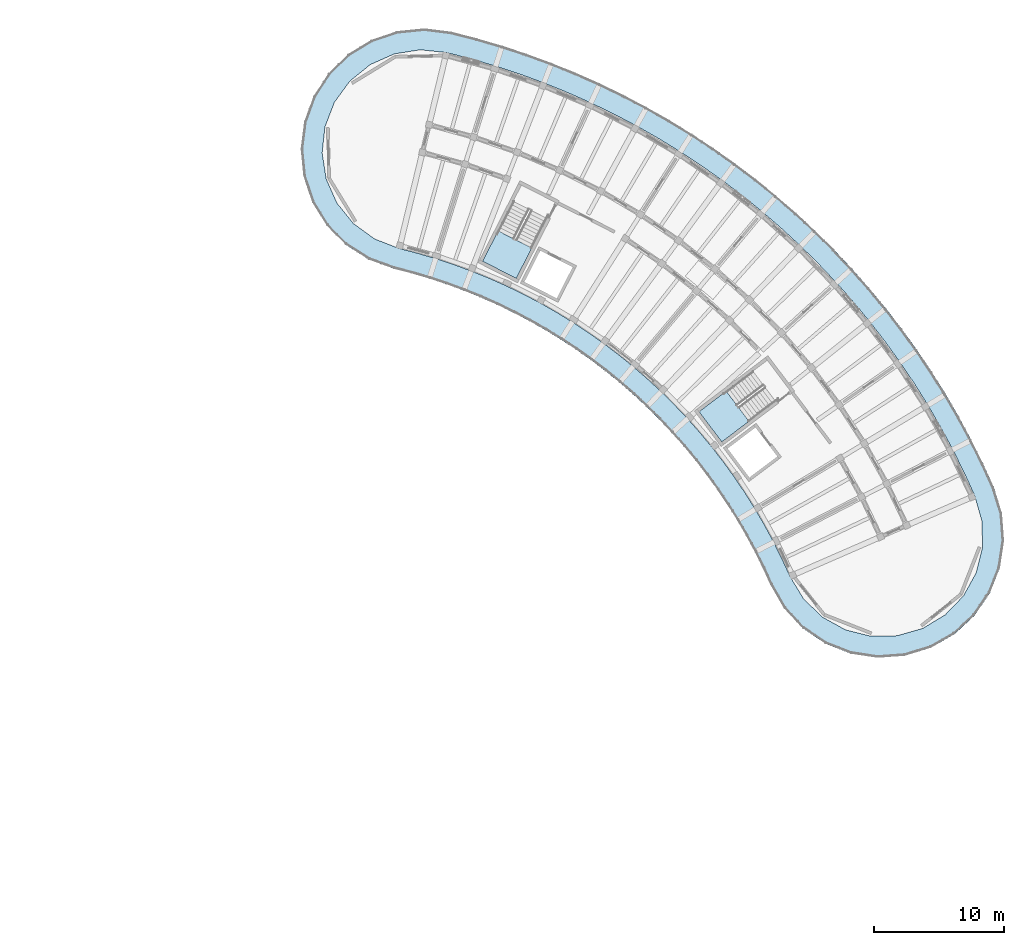
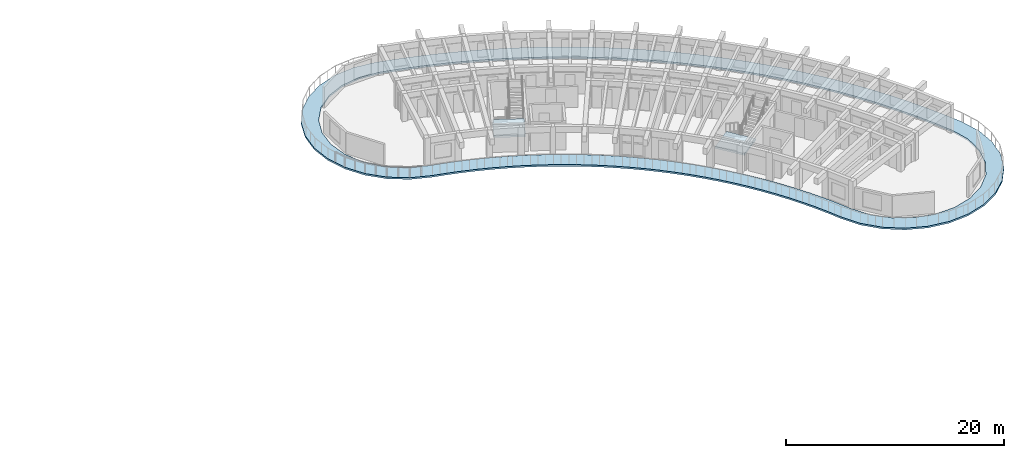
# One storey, part 15 of 41: 3 slabs, 2 elements without a shape of their own.
"""IFC4 building model written with IfcOpenShell, lengths in metres."""

from ifc_helpers import new_model, si_unit, direction, frame, origin, place, context, subcontext, project, spatial, polyline, outline, extrude, material, layer, layer_set, type_object, element, aggregate, save


model = new_model("IFC4")

# Units and contexts
model_context = context("Model", 3, precision=1e-05, world=origin(), true_north=direction((0.0, 1.0)))
body_context = subcontext(model_context, "Body", "Model", "MODEL_VIEW")
ifc_project = project(units=[si_unit("LENGTHUNIT", "METRE"), si_unit("AREAUNIT", "SQUARE_METRE"), si_unit("VOLUMEUNIT", "CUBIC_METRE"), si_unit("PLANEANGLEUNIT", "RADIAN"), si_unit("MASSUNIT", "GRAM", prefix="KILO")], contexts=[model_context])

# Site, building, storey
site_placement = place(None, origin())
site = spatial("IfcSite", under=ifc_project, at=site_placement, CompositionType="ELEMENT")
building_placement = place(site_placement, origin())
building = spatial("IfcBuilding", under=site, at=building_placement, Name="Tanwirah Colonnade Gardens", CompositionType="ELEMENT")
storey_placement = place(building_placement, frame((0.0, 0.0, 35.719970703125)))
storey = spatial("IfcBuildingStorey", under=building, at=storey_placement, Name="L10", CompositionType="ELEMENT", Elevation=35.719970703125)

# Slab
ifc_material_1 = material(Name="White architectural precast concrete C40/50", Category="concrete")
ifc_layer_1 = layer(ifc_material_1, 0.18994140625)
ifc_layer_set_1 = layer_set([ifc_layer_1], Name="White architectural precast concrete C40/50")
slab_type_1 = type_object("IfcSlabType", Name="SL-BAL-190", PredefinedType="FLOOR", material=ifc_layer_set_1)
slab_1_placement = place(storey_placement, frame((0.0, 0.0, -0.18994140625)))
element("IfcSlab", 1, at=slab_1_placement, inside=storey, type_object=slab_type_1, Name="Block B L10 Continuous White Balcony Ribbon", PredefinedType="FLOOR", context=body_context, shape_type="SweptSolid", body=[
    extrude(outline(polyline([(161.102294921875, 75.4013671875), (162.533447265625, 73.85791015625), (164.2724609375, 72.671630859375), (166.231689453125, 71.902099609375), (168.31298828125, 71.587890625), (170.412109375, 71.74462890625), (172.423583984375, 72.364501953125), (174.246826171875, 73.41650390625), (175.790283203125, 74.84765625), (176.9765625, 76.586669921875), (177.74609375, 78.545654296875), (178.060302734375, 80.627197265625), (177.903564453125, 82.72607421875), (177.28369140625, 84.73779296875), (176.4443359375, 86.57958984375), (175.544677734375, 88.392822265625), (174.585693359375, 90.17529296875), (173.568603515625, 91.92529296875), (172.494384765625, 93.640869140625), (171.3642578125, 95.320068359375), (170.17919921875, 96.9609375), (168.940673828125, 98.56201171875), (167.650146484375, 100.121337890625), (166.30908203125, 101.63720703125), (164.91845703125, 103.108154296875), (163.48046875, 104.532470703125), (161.99609375, 105.90869140625), (160.467041015625, 107.235107421875), (158.895263671875, 108.510498046875), (157.282470703125, 109.7333984375), (155.6298828125, 110.90234375), (153.93994140625, 112.01611328125), (152.214111328125, 113.07373046875), (150.454345703125, 114.073974609375), (148.66259765625, 115.015380859375), (146.8408203125, 115.8974609375), (144.990966796875, 116.718994140625), (143.114990234375, 117.47900390625), (141.21484375, 118.1767578125), (139.29296875, 118.811767578125), (137.35107421875, 119.3828125), (135.391357421875, 119.8896484375), (133.302734375, 120.150634765625), (131.208251953125, 119.940673828125), (129.213134765625, 119.26953125), (127.41748046875, 118.171630859375), (125.910888671875, 116.701416015625), (124.76953125, 114.932861328125), (124.050048828125, 112.95458984375), (123.788818359375, 110.865966796875), (123.9990234375, 108.771728515625), (124.669921875, 106.7763671875), (125.76806640625, 104.980712890625), (127.23828125, 103.47412109375), (129.0068359375, 102.332763671875), (130.98486328125, 101.61328125), (132.344482421875, 101.26171875), (133.69189453125, 100.865478515625), (135.025390625, 100.425048828125), (136.343505859375, 99.94091796875), (137.645263671875, 99.41357421875), (138.9287109375, 98.843505859375), (140.192626953125, 98.231689453125), (141.435791015625, 97.578369140625), (142.65673828125, 96.884521484375), (143.85400390625, 96.150634765625), (145.026611328125, 95.3779296875), (146.173095703125, 94.566650390625), (147.292236328125, 93.71826171875), (148.3828125, 92.83349609375), (149.443603515625, 91.9130859375), (150.473388671875, 90.95849609375), (151.47119140625, 89.97021484375), (152.435791015625, 88.94970703125), (153.366455078125, 87.89794921875), (154.26171875, 86.81591796875), (155.12109375, 85.705078125), (155.943115234375, 84.566650390625), (156.727294921875, 83.401611328125), (157.47265625, 82.21142578125), (158.178466796875, 80.997314453125), (158.84375, 79.760498046875), (159.468017578125, 78.50244140625), (160.05029296875, 77.224609375), (161.102294921875, 75.4013671875)]), holes=[polyline([(162.583251953125, 76.13232421875), (161.53466796875, 77.873291015625), (160.930908203125, 79.1982421875), (160.9306640625, 79.19873046875), (160.282958984375, 80.504150390625), (160.28271484375, 80.504638671875), (159.59228515625, 81.787841796875), (159.592041015625, 81.788330078125), (158.85986328125, 83.048095703125), (158.859619140625, 83.048828125), (158.086181640625, 84.28369140625), (158.0859375, 84.2841796875), (157.272216796875, 85.492919921875), (157.271728515625, 85.493408203125), (156.418701171875, 86.6748046875), (156.41845703125, 86.67529296875), (155.52685546875, 87.827880859375), (155.526611328125, 87.828369140625), (154.597412109375, 88.950927734375), (154.59716796875, 88.951416015625), (153.631591796875, 90.042724609375), (153.631103515625, 90.043212890625), (152.630126953125, 91.10205078125), (152.629638671875, 91.1025390625), (151.594482421875, 92.1279296875), (151.593994140625, 92.12841796875), (150.525390625, 93.118896484375), (150.52490234375, 93.119384765625), (149.42431640625, 94.07421875), (149.423828125, 94.07470703125), (148.292236328125, 94.99267578125), (148.291748046875, 94.9931640625), (147.130615234375, 95.87353515625), (147.130126953125, 95.873779296875), (145.940673828125, 96.71533203125), (145.940185546875, 96.7158203125), (144.723388671875, 97.517578125), (144.722900390625, 97.51806640625), (143.48046875, 98.279296875), (143.47998046875, 98.279541015625), (142.213134765625, 98.99951171875), (142.212646484375, 99.0), (140.9228515625, 99.677734375), (140.922119140625, 99.677978515625), (139.61083984375, 100.31298828125), (139.610107421875, 100.313232421875), (138.2783203125, 100.904541015625), (138.27783203125, 100.90478515625), (136.92724609375, 101.451904296875), (136.9267578125, 101.4521484375), (135.55908203125, 101.95458984375), (135.558349609375, 101.954833984375), (134.1748046875, 102.411865234375), (134.174072265625, 102.411865234375), (132.7763671875, 102.822998046875), (132.775634765625, 102.8232421875), (131.365966796875, 103.187744140625), (129.46923828125, 103.91796875), (127.827392578125, 105.11328125), (126.55078125, 106.69287109375), (125.7265625, 108.549072265625), (125.410888671875, 110.555419921875), (125.625, 112.574951171875), (126.354736328125, 114.47021484375), (127.550048828125, 116.1123046875), (129.129638671875, 117.388671875), (130.98583984375, 118.213134765625), (132.9921875, 118.52880859375), (135.012939453125, 118.314453125), (136.919677734375, 117.8212890625), (138.810302734375, 117.26513671875), (140.681640625, 116.647216796875), (142.531494140625, 115.9677734375), (144.35791015625, 115.227783203125), (146.158935546875, 114.427978515625), (147.932861328125, 113.5693359375), (149.67724609375, 112.652587890625), (151.390625, 111.6787109375), (153.07080078125, 110.649169921875), (154.71630859375, 109.564453125), (156.3251953125, 108.42626953125), (157.8955078125, 107.23583984375), (159.42578125, 105.994140625), (160.914306640625, 104.70263671875), (162.359619140625, 103.36279296875), (163.759765625, 101.97607421875), (165.113525390625, 100.5439453125), (166.41943359375, 99.068115234375), (167.67578125, 97.5498046875), (168.881591796875, 95.990966796875), (170.035400390625, 94.393310546875), (171.1357421875, 92.758544921875), (172.181640625, 91.08837890625), (173.171875, 89.384521484375), (174.10546875, 87.64892578125), (174.9814453125, 85.883544921875), (175.79833984375, 84.09130859375), (176.3603515625, 82.138671875), (176.397705078125, 80.10791015625), (175.908203125, 78.136962890625), (174.92529296875, 76.359619140625), (173.515869140625, 74.897216796875), (171.776123046875, 73.849609375), (169.824462890625, 73.287841796875), (167.793701171875, 73.25048828125), (165.82275390625, 73.739990234375), (164.04541015625, 74.722900390625), (162.583251953125, 76.13232421875)])]), origin(), (0.0, 0.0, 1.0), 0.18994140625),
])

# Stair, slab
ifc_material_2 = material(Name="Precast concrete C40/50", Category="concrete")
stair_type = type_object("IfcStairType", Name="ST-RES168", PredefinedType="HALF_TURN_STAIR", material=ifc_material_2)
stair_1_placement = place(storey_placement, origin())
stair_1 = element("IfcStair", 2, at=stair_1_placement, inside=storey, type_object=stair_type, Name="L10 Block B Core 1 Exit Stair", PredefinedType="HALF_TURN_STAIR")
ifc_layer_2 = layer(ifc_material_2, 0.205078125)
ifc_layer_set_2 = layer_set([ifc_layer_2], Name="Precast concrete C40/50")
slab_type_2 = type_object("IfcSlabType", Name="SL-LND-205", PredefinedType="LANDING", material=ifc_layer_set_2)
slab_2_placement = place(storey_placement, frame((0.0, 0.0, 1.47509765625)))
slab_2 = element("IfcSlab", 3, at=slab_2_placement, type_object=slab_type_2, Name="ST-B1 landing 1", PredefinedType="LANDING", context=body_context, shape_type="SweptSolid", body=[
    extrude(outline(polyline([(156.615478515625, 92.171875), (154.510986328125, 90.586181640625), (156.268310546875, 88.254150390625), (158.372802734375, 89.83984375), (156.615478515625, 92.171875)])), origin(), (0.0, 0.0, 1.0), 0.204833984375),
])
aggregate(stair_1, [slab_2])

stair_2_placement = place(storey_placement, origin())
stair_2 = element("IfcStair", 4, at=stair_2_placement, inside=storey, type_object=stair_type, Name="L10 Block B Core 2 Exit Stair", PredefinedType="HALF_TURN_STAIR")
slab_3_placement = place(storey_placement, frame((0.0, 0.0, 1.47509765625)))
slab_3 = element("IfcSlab", 5, at=slab_3_placement, type_object=slab_type_2, Name="ST-B2 landing 1", PredefinedType="LANDING", context=body_context, shape_type="SweptSolid", body=[
    extrude(outline(polyline([(138.995361328125, 104.549072265625), (137.799072265625, 102.201171875), (140.40087890625, 100.87548828125), (141.59716796875, 103.223388671875), (138.995361328125, 104.549072265625)])), origin(), (0.0, 0.0, 1.0), 0.204833984375),
])
aggregate(stair_2, [slab_3])

save(model, "model.ifc")
